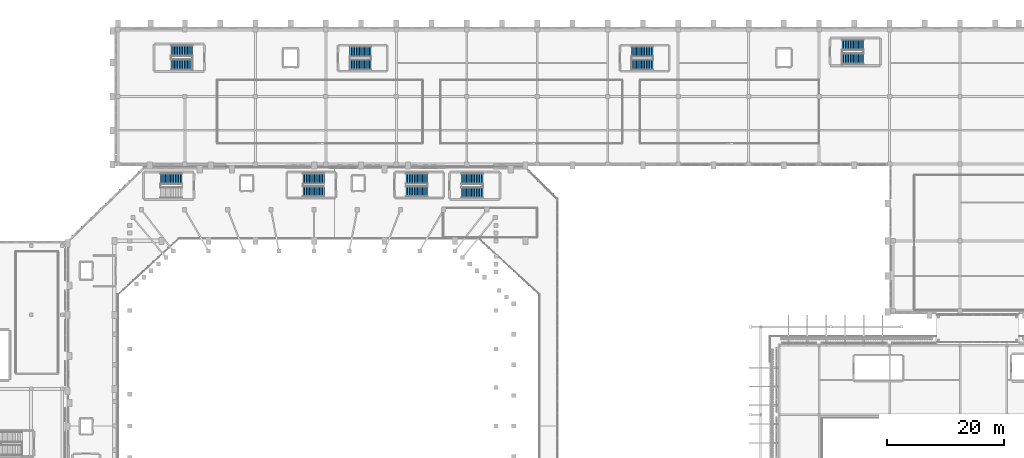
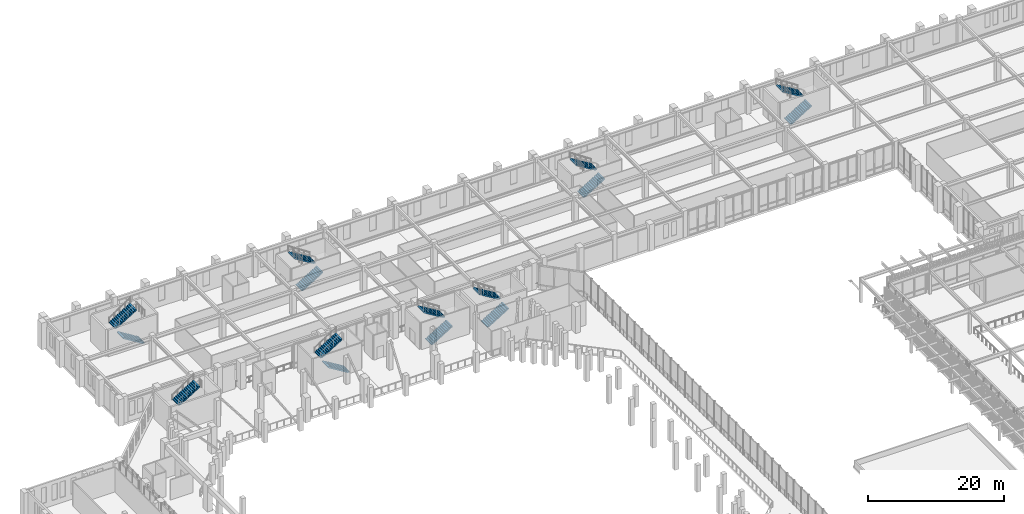
# One storey, part 105 of 126: 15 stair flights, 8 elements without a shape of their own.
"""IFC4 building model written with IfcOpenShell, lengths in metres."""

from ifc_helpers import new_model, si_unit, derived_unit, direction, frame, origin, place, context, subcontext, project, spatial, polyline, outline, extrude, material, type_object, element, aggregate, save


model = new_model("IFC4")

# Units and contexts
model_context = context("Model", 3, precision=1e-05, world=origin(), true_north=direction((0.0, 1.0)))
body_context = subcontext(model_context, "Body", "Model", "MODEL_VIEW")
ifc_project = project(units=[si_unit("LENGTHUNIT", "METRE"), si_unit("AREAUNIT", "SQUARE_METRE"), si_unit("VOLUMEUNIT", "CUBIC_METRE"), si_unit("PLANEANGLEUNIT", "RADIAN"), si_unit("MASSUNIT", "GRAM", prefix="KILO"), derived_unit("THERMALTRANSMITTANCEUNIT", [(si_unit("MASSUNIT", "GRAM", prefix="KILO"), 1), (si_unit("TIMEUNIT", "SECOND"), -3), (si_unit("THERMODYNAMICTEMPERATUREUNIT", "KELVIN"), -1)])], contexts=[model_context])

# Site, building, storey
site_placement = place(None, origin())
site = spatial("IfcSite", under=ifc_project, at=site_placement, CompositionType="ELEMENT")
building_placement = place(site_placement, origin())
building = spatial("IfcBuilding", under=site, at=building_placement, Name="Valcora Ridge Arena", CompositionType="ELEMENT")
storey_placement = place(building_placement, frame((0.0, 0.0, 11.39990234375)))
storey = spatial("IfcBuildingStorey", under=building, at=storey_placement, Name="L02", CompositionType="ELEMENT", Elevation=11.39990234375)

# Stair, stair flights
ifc_material = material(Name="Concrete C40/50", Category="concrete")
stair_type_1 = type_object("IfcStairType", Name="TY-STAIR-ES03-48", PredefinedType="HALF_TURN_STAIR", material=ifc_material)
stair_1_placement = place(storey_placement, origin())
stair_1 = element("IfcStair", 1, at=stair_1_placement, inside=storey, type_object=stair_type_1, Name="ES03-48 STR-ES-0011", PredefinedType="HALF_TURN_STAIR")
stair_flight_type_1 = type_object("IfcStairFlightType", Name="TY-FLIGHT-ES03-48", PredefinedType="STRAIGHT", material=ifc_material)
stair_flight_1_placement = place(storey_placement, frame((59.739990234375, 103.97998046875, 0.0), z_axis=(0.0, 0.0, 1.0), x_axis=(-1.0, 0.0, 0.0)))
stair_flight_1 = element("IfcStairFlight", 2, at=stair_flight_1_placement, type_object=stair_flight_type_1, Name="ES03-48 flight 1", NumberOfRisers=14, NumberOfTreads=13, PredefinedType="STRAIGHT", RiserHeight=0.171429, TreadLength=0.28, context=body_context, shape_type="SweptSolid", body=[
    extrude(outline(polyline([(0.0, 0.0), (0.0, 0.17138671875), (0.280029296875, 0.17138671875), (0.280029296875, 0.3427734375), (0.56005859375, 0.3427734375), (0.56005859375, 0.514404296875), (0.840087890625, 0.514404296875), (0.840087890625, 0.685791015625), (1.1201171875, 0.685791015625), (1.1201171875, 0.857177734375), (1.39990234375, 0.857177734375), (1.39990234375, 1.028564453125), (1.679931640625, 1.028564453125), (1.679931640625, 1.199951171875), (1.9599609375, 1.199951171875), (1.9599609375, 1.371337890625), (2.239990234375, 1.371337890625), (2.239990234375, 1.54296875), (2.52001953125, 1.54296875), (2.52001953125, 1.71435546875), (2.800048828125, 1.71435546875), (2.800048828125, 1.8857421875), (3.080078125, 1.8857421875), (3.080078125, 2.05712890625), (3.360107421875, 2.05712890625), (3.360107421875, 2.228515625), (3.639892578125, 2.228515625), (3.639892578125, 2.39990234375), (3.639892578125, 2.017578125), (0.344482421875, 0.0), (0.0, 0.0)])), frame((0.0, 0.89990234375, 0.0), z_axis=(0.0, -1.0, 0.0), x_axis=(1.0, 0.0, 0.0)), (0.0, 0.0, 1.0), 1.800048828125),
])
stair_flight_2_placement = place(storey_placement, frame((56.10009765625, 106.219970703125, 2.400146484375), z_axis=(0.0, 0.0, 1.0), x_axis=(1.0, 0.0, 0.0)))
stair_flight_2 = element("IfcStairFlight", 3, at=stair_flight_2_placement, type_object=stair_flight_type_1, Name="ES03-48 flight 2", NumberOfRisers=14, NumberOfTreads=13, PredefinedType="STRAIGHT", RiserHeight=0.171429, TreadLength=0.28, context=body_context, shape_type="SweptSolid", body=[
    extrude(outline(polyline([(0.0, 0.0), (0.0, 0.17138671875), (0.280029296875, 0.17138671875), (0.280029296875, 0.3427734375), (0.56005859375, 0.3427734375), (0.56005859375, 0.514404296875), (0.840087890625, 0.514404296875), (0.840087890625, 0.685791015625), (1.1201171875, 0.685791015625), (1.1201171875, 0.857177734375), (1.39990234375, 0.857177734375), (1.39990234375, 1.028564453125), (1.679931640625, 1.028564453125), (1.679931640625, 1.199951171875), (1.9599609375, 1.199951171875), (1.9599609375, 1.371337890625), (2.239990234375, 1.371337890625), (2.239990234375, 1.54296875), (2.52001953125, 1.54296875), (2.52001953125, 1.71435546875), (2.800048828125, 1.71435546875), (2.800048828125, 1.8857421875), (3.080078125, 1.8857421875), (3.080078125, 2.05712890625), (3.360107421875, 2.05712890625), (3.360107421875, 2.228515625), (3.639892578125, 2.228515625), (3.639892578125, 2.39990234375), (3.639892578125, 2.017578125), (0.344482421875, 0.0), (0.0, 0.0)])), frame((0.0, 0.89990234375, 0.0), z_axis=(0.0, -1.0, 0.0), x_axis=(1.0, 0.0, 0.0)), (0.0, 0.0, 1.0), 1.800048828125),
])
aggregate(stair_1, [stair_flight_1, stair_flight_2])

stair_type_2 = type_object("IfcStairType", Name="TY-STAIR-ES04-48", PredefinedType="HALF_TURN_STAIR", material=ifc_material)
stair_2_placement = place(storey_placement, origin())
stair_2 = element("IfcStair", 4, at=stair_2_placement, inside=storey, type_object=stair_type_2, Name="ES04-48 STR-ES-0015", PredefinedType="HALF_TURN_STAIR")
stair_flight_type_2 = type_object("IfcStairFlightType", Name="TY-FLIGHT-ES04-48", PredefinedType="STRAIGHT", material=ifc_material)
stair_flight_3_placement = place(storey_placement, frame((73.659912109375, 103.97998046875, 0.0), z_axis=(0.0, 0.0, 1.0), x_axis=(1.0, 0.0, 0.0)))
stair_flight_3 = element("IfcStairFlight", 5, at=stair_flight_3_placement, type_object=stair_flight_type_2, Name="ES04-48 flight 1", NumberOfRisers=14, NumberOfTreads=13, PredefinedType="STRAIGHT", RiserHeight=0.171429, TreadLength=0.28, context=body_context, shape_type="SweptSolid", body=[
    extrude(outline(polyline([(0.0, 0.0), (0.0, 0.17138671875), (0.280029296875, 0.17138671875), (0.280029296875, 0.3427734375), (0.56005859375, 0.3427734375), (0.56005859375, 0.514404296875), (0.840087890625, 0.514404296875), (0.840087890625, 0.685791015625), (1.1201171875, 0.685791015625), (1.1201171875, 0.857177734375), (1.39990234375, 0.857177734375), (1.39990234375, 1.028564453125), (1.679931640625, 1.028564453125), (1.679931640625, 1.199951171875), (1.9599609375, 1.199951171875), (1.9599609375, 1.371337890625), (2.239990234375, 1.371337890625), (2.239990234375, 1.54296875), (2.52001953125, 1.54296875), (2.52001953125, 1.71435546875), (2.800048828125, 1.71435546875), (2.800048828125, 1.8857421875), (3.080078125, 1.8857421875), (3.080078125, 2.05712890625), (3.360107421875, 2.05712890625), (3.360107421875, 2.228515625), (3.639892578125, 2.228515625), (3.639892578125, 2.39990234375), (3.639892578125, 2.017578125), (0.344482421875, 0.0), (0.0, 0.0)])), frame((0.0, 0.89990234375, 0.0), z_axis=(0.0, -1.0, 0.0), x_axis=(1.0, 0.0, 0.0)), (0.0, 0.0, 1.0), 1.800048828125),
])
stair_flight_4_placement = place(storey_placement, frame((77.300048828125, 106.219970703125, 2.400146484375), z_axis=(0.0, 0.0, 1.0), x_axis=(-1.0, 0.0, 0.0)))
stair_flight_4 = element("IfcStairFlight", 6, at=stair_flight_4_placement, type_object=stair_flight_type_2, Name="ES04-48 flight 2", NumberOfRisers=14, NumberOfTreads=13, PredefinedType="STRAIGHT", RiserHeight=0.171429, TreadLength=0.28, context=body_context, shape_type="SweptSolid", body=[
    extrude(outline(polyline([(0.0, 0.0), (0.0, 0.17138671875), (0.280029296875, 0.17138671875), (0.280029296875, 0.3427734375), (0.56005859375, 0.3427734375), (0.56005859375, 0.514404296875), (0.840087890625, 0.514404296875), (0.840087890625, 0.685791015625), (1.1201171875, 0.685791015625), (1.1201171875, 0.857177734375), (1.39990234375, 0.857177734375), (1.39990234375, 1.028564453125), (1.679931640625, 1.028564453125), (1.679931640625, 1.199951171875), (1.9599609375, 1.199951171875), (1.9599609375, 1.371337890625), (2.239990234375, 1.371337890625), (2.239990234375, 1.54296875), (2.52001953125, 1.54296875), (2.52001953125, 1.71435546875), (2.800048828125, 1.71435546875), (2.800048828125, 1.8857421875), (3.080078125, 1.8857421875), (3.080078125, 2.05712890625), (3.360107421875, 2.05712890625), (3.360107421875, 2.228515625), (3.639892578125, 2.228515625), (3.639892578125, 2.39990234375), (3.639892578125, 2.017578125), (0.344482421875, 0.0), (0.0, 0.0)])), frame((0.0, 0.89990234375, 0.0), z_axis=(0.0, -1.0, 0.0), x_axis=(1.0, 0.0, 0.0)), (0.0, 0.0, 1.0), 1.800048828125),
])
aggregate(stair_2, [stair_flight_3, stair_flight_4])

stair_type_3 = type_object("IfcStairType", Name="TY-STAIR-ES09-48", PredefinedType="HALF_TURN_STAIR", material=ifc_material)
stair_3_placement = place(storey_placement, origin())
stair_3 = element("IfcStair", 7, at=stair_3_placement, inside=storey, type_object=stair_type_3, Name="ES09-48 STR-ES-0032", PredefinedType="HALF_TURN_STAIR")
stair_flight_type_3 = type_object("IfcStairFlightType", Name="TY-FLIGHT-ES09-48", PredefinedType="STRAIGHT", material=ifc_material)
stair_flight_5_placement = place(storey_placement, frame((64.06005859375, 125.580078125, 0.0), z_axis=(0.0, 0.0, 1.0), x_axis=(1.0, 0.0, 0.0)))
stair_flight_5 = element("IfcStairFlight", 8, at=stair_flight_5_placement, type_object=stair_flight_type_3, Name="ES09-48 flight 1", NumberOfRisers=14, NumberOfTreads=13, PredefinedType="STRAIGHT", RiserHeight=0.171429, TreadLength=0.28, context=body_context, shape_type="SweptSolid", body=[
    extrude(outline(polyline([(0.0, 0.0), (0.0, 0.17138671875), (0.280029296875, 0.17138671875), (0.280029296875, 0.3427734375), (0.56005859375, 0.3427734375), (0.56005859375, 0.514404296875), (0.840087890625, 0.514404296875), (0.840087890625, 0.685791015625), (1.1201171875, 0.685791015625), (1.1201171875, 0.857177734375), (1.39990234375, 0.857177734375), (1.39990234375, 1.028564453125), (1.679931640625, 1.028564453125), (1.679931640625, 1.199951171875), (1.9599609375, 1.199951171875), (1.9599609375, 1.371337890625), (2.239990234375, 1.371337890625), (2.239990234375, 1.54296875), (2.52001953125, 1.54296875), (2.52001953125, 1.71435546875), (2.800048828125, 1.71435546875), (2.800048828125, 1.8857421875), (3.080078125, 1.8857421875), (3.080078125, 2.05712890625), (3.360107421875, 2.05712890625), (3.360107421875, 2.228515625), (3.639892578125, 2.228515625), (3.639892578125, 2.39990234375), (3.639892578125, 2.017578125), (0.344482421875, 0.0), (0.0, 0.0)])), frame((0.0, 0.89990234375, 0.0), z_axis=(0.0, -1.0, 0.0), x_axis=(1.0, 0.0, 0.0)), (0.0, 0.0, 1.0), 1.800048828125),
])
stair_flight_6_placement = place(storey_placement, frame((67.699951171875, 127.820068359375, 2.400146484375), z_axis=(0.0, 0.0, 1.0), x_axis=(-1.0, 0.0, 0.0)))
stair_flight_6 = element("IfcStairFlight", 9, at=stair_flight_6_placement, type_object=stair_flight_type_3, Name="ES09-48 flight 2", NumberOfRisers=14, NumberOfTreads=13, PredefinedType="STRAIGHT", RiserHeight=0.171429, TreadLength=0.28, context=body_context, shape_type="SweptSolid", body=[
    extrude(outline(polyline([(0.0, 0.0), (0.0, 0.17138671875), (0.280029296875, 0.17138671875), (0.280029296875, 0.3427734375), (0.56005859375, 0.3427734375), (0.56005859375, 0.514404296875), (0.840087890625, 0.514404296875), (0.840087890625, 0.685791015625), (1.1201171875, 0.685791015625), (1.1201171875, 0.857177734375), (1.39990234375, 0.857177734375), (1.39990234375, 1.028564453125), (1.679931640625, 1.028564453125), (1.679931640625, 1.199951171875), (1.9599609375, 1.199951171875), (1.9599609375, 1.371337890625), (2.239990234375, 1.371337890625), (2.239990234375, 1.54296875), (2.52001953125, 1.54296875), (2.52001953125, 1.71435546875), (2.800048828125, 1.71435546875), (2.800048828125, 1.8857421875), (3.080078125, 1.8857421875), (3.080078125, 2.05712890625), (3.360107421875, 2.05712890625), (3.360107421875, 2.228515625), (3.639892578125, 2.228515625), (3.639892578125, 2.39990234375), (3.639892578125, 2.017578125), (0.344482421875, 0.0), (0.0, 0.0)])), frame((0.0, 0.89990234375, 0.0), z_axis=(0.0, -1.0, 0.0), x_axis=(1.0, 0.0, 0.0)), (0.0, 0.0, 1.0), 1.800048828125),
])
aggregate(stair_3, [stair_flight_5, stair_flight_6])

stair_type_4 = type_object("IfcStairType", Name="TY-STAIR-ES10-48", PredefinedType="HALF_TURN_STAIR", material=ifc_material)
stair_4_placement = place(storey_placement, origin())
stair_4 = element("IfcStair", 10, at=stair_4_placement, inside=storey, type_object=stair_type_4, Name="ES10-48 STR-ES-0035", PredefinedType="HALF_TURN_STAIR")
stair_flight_type_4 = type_object("IfcStairFlightType", Name="TY-FLIGHT-ES10-48", PredefinedType="STRAIGHT", material=ifc_material)
stair_flight_7_placement = place(storey_placement, frame((112.06005859375, 125.580078125, 0.0), z_axis=(0.0, 0.0, 1.0), x_axis=(1.0, 0.0, 0.0)))
stair_flight_7 = element("IfcStairFlight", 11, at=stair_flight_7_placement, type_object=stair_flight_type_4, Name="ES10-48 flight 1", NumberOfRisers=14, NumberOfTreads=13, PredefinedType="STRAIGHT", RiserHeight=0.171429, TreadLength=0.28, context=body_context, shape_type="SweptSolid", body=[
    extrude(outline(polyline([(0.0, 0.0), (0.0, 0.17138671875), (0.280029296875, 0.17138671875), (0.280029296875, 0.3427734375), (0.56005859375, 0.3427734375), (0.56005859375, 0.514404296875), (0.840087890625, 0.514404296875), (0.840087890625, 0.685791015625), (1.1201171875, 0.685791015625), (1.1201171875, 0.857177734375), (1.39990234375, 0.857177734375), (1.39990234375, 1.028564453125), (1.679931640625, 1.028564453125), (1.679931640625, 1.199951171875), (1.9599609375, 1.199951171875), (1.9599609375, 1.371337890625), (2.239990234375, 1.371337890625), (2.239990234375, 1.54296875), (2.52001953125, 1.54296875), (2.52001953125, 1.71435546875), (2.800048828125, 1.71435546875), (2.800048828125, 1.8857421875), (3.080078125, 1.8857421875), (3.080078125, 2.05712890625), (3.360107421875, 2.05712890625), (3.360107421875, 2.228515625), (3.639892578125, 2.228515625), (3.639892578125, 2.39990234375), (3.639892578125, 2.017578125), (0.344482421875, 0.0), (0.0, 0.0)])), frame((0.0, 0.89990234375, 0.0), z_axis=(0.0, -1.0, 0.0), x_axis=(1.0, 0.0, 0.0)), (0.0, 0.0, 1.0), 1.800048828125),
])
stair_flight_8_placement = place(storey_placement, frame((115.699951171875, 127.820068359375, 2.400146484375), z_axis=(0.0, 0.0, 1.0), x_axis=(-1.0, 0.0, 0.0)))
stair_flight_8 = element("IfcStairFlight", 12, at=stair_flight_8_placement, type_object=stair_flight_type_4, Name="ES10-48 flight 2", NumberOfRisers=14, NumberOfTreads=13, PredefinedType="STRAIGHT", RiserHeight=0.171429, TreadLength=0.28, context=body_context, shape_type="SweptSolid", body=[
    extrude(outline(polyline([(0.0, 0.0), (0.0, 0.17138671875), (0.280029296875, 0.17138671875), (0.280029296875, 0.3427734375), (0.56005859375, 0.3427734375), (0.56005859375, 0.514404296875), (0.840087890625, 0.514404296875), (0.840087890625, 0.685791015625), (1.1201171875, 0.685791015625), (1.1201171875, 0.857177734375), (1.39990234375, 0.857177734375), (1.39990234375, 1.028564453125), (1.679931640625, 1.028564453125), (1.679931640625, 1.199951171875), (1.9599609375, 1.199951171875), (1.9599609375, 1.371337890625), (2.239990234375, 1.371337890625), (2.239990234375, 1.54296875), (2.52001953125, 1.54296875), (2.52001953125, 1.71435546875), (2.800048828125, 1.71435546875), (2.800048828125, 1.8857421875), (3.080078125, 1.8857421875), (3.080078125, 2.05712890625), (3.360107421875, 2.05712890625), (3.360107421875, 2.228515625), (3.639892578125, 2.228515625), (3.639892578125, 2.39990234375), (3.639892578125, 2.017578125), (0.344482421875, 0.0), (0.0, 0.0)])), frame((0.0, 0.89990234375, 0.0), z_axis=(0.0, -1.0, 0.0), x_axis=(1.0, 0.0, 0.0)), (0.0, 0.0, 1.0), 1.800048828125),
])
aggregate(stair_4, [stair_flight_7, stair_flight_8])

# Stair, stair flight
stair_type_5 = type_object("IfcStairType", Name="TY-STAIR-ST03-48", PredefinedType="HALF_TURN_STAIR", material=ifc_material)
stair_5_placement = place(storey_placement, origin())
stair_5 = element("IfcStair", 13, at=stair_5_placement, inside=storey, type_object=stair_type_5, Name="ST03-48 STR-CR-0015", PredefinedType="HALF_TURN_STAIR")
stair_flight_type_5 = type_object("IfcStairFlightType", Name="TY-FLIGHT-ST03-48", PredefinedType="STRAIGHT", material=ifc_material)
stair_flight_9_placement = place(storey_placement, frame((31.85009765625, 106.195068359375, 2.400146484375), z_axis=(0.0, 0.0, 1.0), x_axis=(1.0, 0.0, 0.0)))
stair_flight_9 = element("IfcStairFlight", 14, at=stair_flight_9_placement, type_object=stair_flight_type_5, Name="ST03-48 flight 2", NumberOfRisers=14, NumberOfTreads=13, PredefinedType="STRAIGHT", RiserHeight=0.171429, TreadLength=0.28, context=body_context, shape_type="SweptSolid", body=[
    extrude(outline(polyline([(0.0, 0.0), (0.0, 0.17138671875), (0.280029296875, 0.17138671875), (0.280029296875, 0.3427734375), (0.56005859375, 0.3427734375), (0.56005859375, 0.514404296875), (0.840087890625, 0.514404296875), (0.840087890625, 0.685791015625), (1.1201171875, 0.685791015625), (1.1201171875, 0.857177734375), (1.39990234375, 0.857177734375), (1.39990234375, 1.028564453125), (1.679931640625, 1.028564453125), (1.679931640625, 1.199951171875), (1.9599609375, 1.199951171875), (1.9599609375, 1.371337890625), (2.239990234375, 1.371337890625), (2.239990234375, 1.54296875), (2.52001953125, 1.54296875), (2.52001953125, 1.71435546875), (2.800048828125, 1.71435546875), (2.800048828125, 1.8857421875), (3.080078125, 1.8857421875), (3.080078125, 2.05712890625), (3.360107421875, 2.05712890625), (3.360107421875, 2.228515625), (3.639892578125, 2.228515625), (3.639892578125, 2.39990234375), (3.639892578125, 2.017578125), (0.344482421875, 0.0), (0.0, 0.0)])), frame((0.0, 0.925048828125, 0.0), z_axis=(0.0, -1.0, 0.0), x_axis=(1.0, 0.0, 0.0)), (0.0, 0.0, 1.0), 1.85009765625),
])
aggregate(stair_5, [stair_flight_9])

# Stair, stair flights
stair_type_6 = type_object("IfcStairType", Name="TY-STAIR-ST04-48", PredefinedType="HALF_TURN_STAIR", material=ifc_material)
stair_6_placement = place(storey_placement, origin())
stair_6 = element("IfcStair", 15, at=stair_6_placement, inside=storey, type_object=stair_type_6, Name="ST04-48 STR-CR-0021", PredefinedType="HALF_TURN_STAIR")
stair_flight_type_6 = type_object("IfcStairFlightType", Name="TY-FLIGHT-ST04-48", PredefinedType="STRAIGHT", material=ifc_material)
stair_flight_10_placement = place(storey_placement, frame((83.110107421875, 103.804931640625, 0.0), z_axis=(0.0, 0.0, 1.0), x_axis=(1.0, 0.0, 0.0)))
stair_flight_10 = element("IfcStairFlight", 16, at=stair_flight_10_placement, type_object=stair_flight_type_6, Name="ST04-48 flight 1", NumberOfRisers=14, NumberOfTreads=13, PredefinedType="STRAIGHT", RiserHeight=0.171429, TreadLength=0.28, context=body_context, shape_type="SweptSolid", body=[
    extrude(outline(polyline([(0.0, 0.0), (0.0, 0.17138671875), (0.280029296875, 0.17138671875), (0.280029296875, 0.3427734375), (0.56005859375, 0.3427734375), (0.56005859375, 0.514404296875), (0.840087890625, 0.514404296875), (0.840087890625, 0.685791015625), (1.1201171875, 0.685791015625), (1.1201171875, 0.857177734375), (1.39990234375, 0.857177734375), (1.39990234375, 1.028564453125), (1.679931640625, 1.028564453125), (1.679931640625, 1.199951171875), (1.9599609375, 1.199951171875), (1.9599609375, 1.371337890625), (2.239990234375, 1.371337890625), (2.239990234375, 1.54296875), (2.52001953125, 1.54296875), (2.52001953125, 1.71435546875), (2.800048828125, 1.71435546875), (2.800048828125, 1.8857421875), (3.080078125, 1.8857421875), (3.080078125, 2.05712890625), (3.360107421875, 2.05712890625), (3.360107421875, 2.228515625), (3.639892578125, 2.228515625), (3.639892578125, 2.39990234375), (3.639892578125, 2.017578125), (0.344482421875, 0.0), (0.0, 0.0)])), frame((0.0, 0.925048828125, 0.0), z_axis=(0.0, -1.0, 0.0), x_axis=(1.0, 0.0, 0.0)), (0.0, 0.0, 1.0), 1.85009765625),
])
stair_flight_11_placement = place(storey_placement, frame((86.75, 106.195068359375, 2.400146484375), z_axis=(0.0, 0.0, 1.0), x_axis=(-1.0, 0.0, 0.0)))
stair_flight_11 = element("IfcStairFlight", 17, at=stair_flight_11_placement, type_object=stair_flight_type_6, Name="ST04-48 flight 2", NumberOfRisers=14, NumberOfTreads=13, PredefinedType="STRAIGHT", RiserHeight=0.171429, TreadLength=0.28, context=body_context, shape_type="SweptSolid", body=[
    extrude(outline(polyline([(0.0, 0.0), (0.0, 0.17138671875), (0.280029296875, 0.17138671875), (0.280029296875, 0.3427734375), (0.56005859375, 0.3427734375), (0.56005859375, 0.514404296875), (0.840087890625, 0.514404296875), (0.840087890625, 0.685791015625), (1.1201171875, 0.685791015625), (1.1201171875, 0.857177734375), (1.39990234375, 0.857177734375), (1.39990234375, 1.028564453125), (1.679931640625, 1.028564453125), (1.679931640625, 1.199951171875), (1.9599609375, 1.199951171875), (1.9599609375, 1.371337890625), (2.239990234375, 1.371337890625), (2.239990234375, 1.54296875), (2.52001953125, 1.54296875), (2.52001953125, 1.71435546875), (2.800048828125, 1.71435546875), (2.800048828125, 1.8857421875), (3.080078125, 1.8857421875), (3.080078125, 2.05712890625), (3.360107421875, 2.05712890625), (3.360107421875, 2.228515625), (3.639892578125, 2.228515625), (3.639892578125, 2.39990234375), (3.639892578125, 2.017578125), (0.344482421875, 0.0), (0.0, 0.0)])), frame((0.0, 0.925048828125, 0.0), z_axis=(0.0, -1.0, 0.0), x_axis=(1.0, 0.0, 0.0)), (0.0, 0.0, 1.0), 1.85009765625),
])
aggregate(stair_6, [stair_flight_10, stair_flight_11])

stair_type_7 = type_object("IfcStairType", Name="TY-STAIR-ST09-48", PredefinedType="HALF_TURN_STAIR", material=ifc_material)
stair_7_placement = place(storey_placement, origin())
stair_7 = element("IfcStair", 18, at=stair_7_placement, inside=storey, type_object=stair_type_7, Name="ST09-48 STR-CR-0040", PredefinedType="HALF_TURN_STAIR")
stair_flight_type_7 = type_object("IfcStairFlightType", Name="TY-FLIGHT-ST09-48", PredefinedType="STRAIGHT", material=ifc_material)
stair_flight_12_placement = place(storey_placement, frame((37.2900390625, 125.60498046875, 0.0), z_axis=(0.0, 0.0, 1.0), x_axis=(-1.0, 0.0, 0.0)))
stair_flight_12 = element("IfcStairFlight", 19, at=stair_flight_12_placement, type_object=stair_flight_type_7, Name="ST09-48 flight 1", NumberOfRisers=14, NumberOfTreads=13, PredefinedType="STRAIGHT", RiserHeight=0.171429, TreadLength=0.28, context=body_context, shape_type="SweptSolid", body=[
    extrude(outline(polyline([(0.0, 0.0), (0.0, 0.17138671875), (0.280029296875, 0.17138671875), (0.280029296875, 0.3427734375), (0.56005859375, 0.3427734375), (0.56005859375, 0.514404296875), (0.840087890625, 0.514404296875), (0.840087890625, 0.685791015625), (1.1201171875, 0.685791015625), (1.1201171875, 0.857177734375), (1.39990234375, 0.857177734375), (1.39990234375, 1.028564453125), (1.679931640625, 1.028564453125), (1.679931640625, 1.199951171875), (1.9599609375, 1.199951171875), (1.9599609375, 1.371337890625), (2.239990234375, 1.371337890625), (2.239990234375, 1.54296875), (2.52001953125, 1.54296875), (2.52001953125, 1.71435546875), (2.800048828125, 1.71435546875), (2.800048828125, 1.8857421875), (3.080078125, 1.8857421875), (3.080078125, 2.05712890625), (3.360107421875, 2.05712890625), (3.360107421875, 2.228515625), (3.639892578125, 2.228515625), (3.639892578125, 2.39990234375), (3.639892578125, 2.017578125), (0.344482421875, 0.0), (0.0, 0.0)])), frame((0.0, 0.925048828125, 0.0), z_axis=(0.0, -1.0, 0.0), x_axis=(1.0, 0.0, 0.0)), (0.0, 0.0, 1.0), 1.85009765625),
])
stair_flight_13_placement = place(storey_placement, frame((33.64990234375, 127.9951171875, 2.400146484375), z_axis=(0.0, 0.0, 1.0), x_axis=(1.0, 0.0, 0.0)))
stair_flight_13 = element("IfcStairFlight", 20, at=stair_flight_13_placement, type_object=stair_flight_type_7, Name="ST09-48 flight 2", NumberOfRisers=14, NumberOfTreads=13, PredefinedType="STRAIGHT", RiserHeight=0.171429, TreadLength=0.28, context=body_context, shape_type="SweptSolid", body=[
    extrude(outline(polyline([(0.0, 0.0), (0.0, 0.17138671875), (0.280029296875, 0.17138671875), (0.280029296875, 0.3427734375), (0.56005859375, 0.3427734375), (0.56005859375, 0.514404296875), (0.840087890625, 0.514404296875), (0.840087890625, 0.685791015625), (1.1201171875, 0.685791015625), (1.1201171875, 0.857177734375), (1.39990234375, 0.857177734375), (1.39990234375, 1.028564453125), (1.679931640625, 1.028564453125), (1.679931640625, 1.199951171875), (1.9599609375, 1.199951171875), (1.9599609375, 1.371337890625), (2.239990234375, 1.371337890625), (2.239990234375, 1.54296875), (2.52001953125, 1.54296875), (2.52001953125, 1.71435546875), (2.800048828125, 1.71435546875), (2.800048828125, 1.8857421875), (3.080078125, 1.8857421875), (3.080078125, 2.05712890625), (3.360107421875, 2.05712890625), (3.360107421875, 2.228515625), (3.639892578125, 2.228515625), (3.639892578125, 2.39990234375), (3.639892578125, 2.017578125), (0.344482421875, 0.0), (0.0, 0.0)])), frame((0.0, 0.925048828125, 0.0), z_axis=(0.0, -1.0, 0.0), x_axis=(1.0, 0.0, 0.0)), (0.0, 0.0, 1.0), 1.85009765625),
])
aggregate(stair_7, [stair_flight_12, stair_flight_13])

stair_type_8 = type_object("IfcStairType", Name="TY-STAIR-ST10-48", PredefinedType="HALF_TURN_STAIR", material=ifc_material)
stair_8_placement = place(storey_placement, origin())
stair_8 = element("IfcStair", 21, at=stair_8_placement, inside=storey, type_object=stair_type_8, Name="ST10-48 STR-CR-0044", PredefinedType="HALF_TURN_STAIR")
stair_flight_type_8 = type_object("IfcStairFlightType", Name="TY-FLIGHT-ST10-48", PredefinedType="STRAIGHT", material=ifc_material)
stair_flight_14_placement = place(storey_placement, frame((147.909912109375, 126.60498046875, 0.0), z_axis=(0.0, 0.0, 1.0), x_axis=(1.0, 0.0, 0.0)))
stair_flight_14 = element("IfcStairFlight", 22, at=stair_flight_14_placement, type_object=stair_flight_type_8, Name="ST10-48 flight 1", NumberOfRisers=14, NumberOfTreads=13, PredefinedType="STRAIGHT", RiserHeight=0.171429, TreadLength=0.28, context=body_context, shape_type="SweptSolid", body=[
    extrude(outline(polyline([(0.0, 0.0), (0.0, 0.17138671875), (0.280029296875, 0.17138671875), (0.280029296875, 0.3427734375), (0.56005859375, 0.3427734375), (0.56005859375, 0.514404296875), (0.840087890625, 0.514404296875), (0.840087890625, 0.685791015625), (1.1201171875, 0.685791015625), (1.1201171875, 0.857177734375), (1.39990234375, 0.857177734375), (1.39990234375, 1.028564453125), (1.679931640625, 1.028564453125), (1.679931640625, 1.199951171875), (1.9599609375, 1.199951171875), (1.9599609375, 1.371337890625), (2.239990234375, 1.371337890625), (2.239990234375, 1.54296875), (2.52001953125, 1.54296875), (2.52001953125, 1.71435546875), (2.800048828125, 1.71435546875), (2.800048828125, 1.8857421875), (3.080078125, 1.8857421875), (3.080078125, 2.05712890625), (3.360107421875, 2.05712890625), (3.360107421875, 2.228515625), (3.639892578125, 2.228515625), (3.639892578125, 2.39990234375), (3.639892578125, 2.017578125), (0.344482421875, 0.0), (0.0, 0.0)])), frame((0.0, 0.925048828125, 0.0), z_axis=(0.0, -1.0, 0.0), x_axis=(1.0, 0.0, 0.0)), (0.0, 0.0, 1.0), 1.85009765625),
])
stair_flight_15_placement = place(storey_placement, frame((151.550048828125, 128.9951171875, 2.400146484375), z_axis=(0.0, 0.0, 1.0), x_axis=(-1.0, 0.0, 0.0)))
stair_flight_15 = element("IfcStairFlight", 23, at=stair_flight_15_placement, type_object=stair_flight_type_8, Name="ST10-48 flight 2", NumberOfRisers=14, NumberOfTreads=13, PredefinedType="STRAIGHT", RiserHeight=0.171429, TreadLength=0.28, context=body_context, shape_type="SweptSolid", body=[
    extrude(outline(polyline([(0.0, 0.0), (0.0, 0.17138671875), (0.280029296875, 0.17138671875), (0.280029296875, 0.3427734375), (0.56005859375, 0.3427734375), (0.56005859375, 0.514404296875), (0.840087890625, 0.514404296875), (0.840087890625, 0.685791015625), (1.1201171875, 0.685791015625), (1.1201171875, 0.857177734375), (1.39990234375, 0.857177734375), (1.39990234375, 1.028564453125), (1.679931640625, 1.028564453125), (1.679931640625, 1.199951171875), (1.9599609375, 1.199951171875), (1.9599609375, 1.371337890625), (2.239990234375, 1.371337890625), (2.239990234375, 1.54296875), (2.52001953125, 1.54296875), (2.52001953125, 1.71435546875), (2.800048828125, 1.71435546875), (2.800048828125, 1.8857421875), (3.080078125, 1.8857421875), (3.080078125, 2.05712890625), (3.360107421875, 2.05712890625), (3.360107421875, 2.228515625), (3.639892578125, 2.228515625), (3.639892578125, 2.39990234375), (3.639892578125, 2.017578125), (0.344482421875, 0.0), (0.0, 0.0)])), frame((0.0, 0.925048828125, 0.0), z_axis=(0.0, -1.0, 0.0), x_axis=(1.0, 0.0, 0.0)), (0.0, 0.0, 1.0), 1.85009765625),
])
aggregate(stair_8, [stair_flight_14, stair_flight_15])

save(model, "model.ifc")
